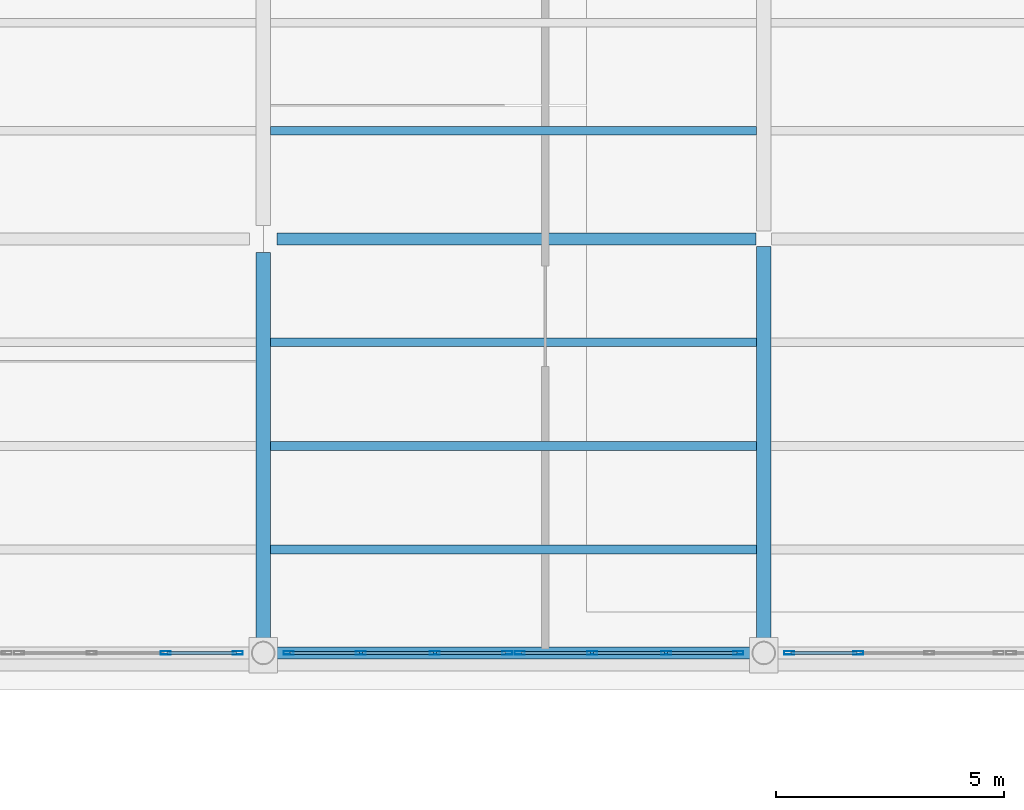
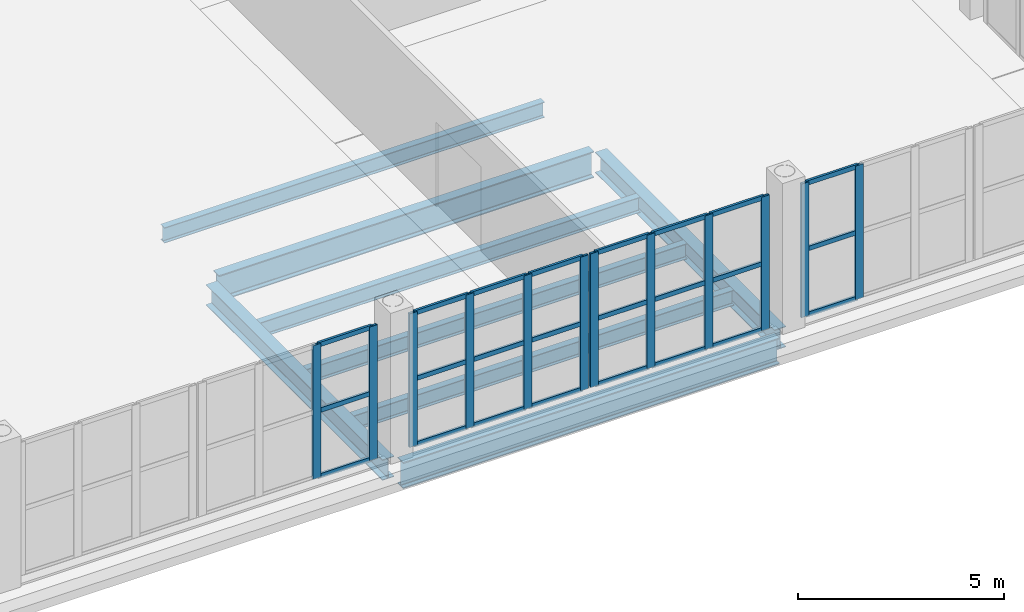
# One storey, part 30 of 156: 36 members, 8 beams, 4 elements without a shape of their own.
"""IFC4 building model written with IfcOpenShell, lengths in metres."""

from ifc_helpers import new_model, si_unit, direction, frame, origin, origin_2d, place, context, subcontext, project, spatial, hollow_rectangle, i_section, extrude, material, material_profile, profile_set, type_object, element, aggregate, save


model = new_model("IFC4")

# Units and contexts
model_context = context("Model", 3, precision=1e-05, world=origin(), true_north=direction((0.0, 1.0)))
body_context = subcontext(model_context, "Body", "Model", "MODEL_VIEW")
ifc_project = project(units=[si_unit("LENGTHUNIT", "METRE"), si_unit("AREAUNIT", "SQUARE_METRE"), si_unit("VOLUMEUNIT", "CUBIC_METRE"), si_unit("PLANEANGLEUNIT", "RADIAN"), si_unit("MASSUNIT", "GRAM", prefix="KILO")], contexts=[model_context])

# Site, building, storey
site_placement = place(None, origin())
site = spatial("IfcSite", under=ifc_project, at=site_placement, CompositionType="ELEMENT")
building_placement = place(site_placement, origin())
building = spatial("IfcBuilding", under=site, at=building_placement, Name="Caurita Quay Ferry Terminal", CompositionType="ELEMENT")
storey_placement = place(building_placement, frame((0.0, 0.0, 5.39990234375)))
storey = spatial("IfcBuildingStorey", under=building, at=storey_placement, Name="L01", CompositionType="ELEMENT", Elevation=5.39990234375)

# Beams
ifc_material_1 = material(Name="Structural steel ASTM A992 Gr. 50", Category="steel")
ifc_material_profile_1 = material_profile(ifc_material_1, i_section(OverallWidth=0.3251953125, OverallDepth=0.612060546875, WebThickness=0.0126953125, FlangeThickness=0.01904296875, FilletRadius=0.01513671875, at=origin_2d()), Name="W24X104")
ifc_profile_set_1 = profile_set([ifc_material_profile_1], Name="Structural steel ASTM A992 Gr. 50")
beam_type_1 = type_object("IfcBeamType", Name="BM-GR-W24A", PredefinedType="BEAM", material=ifc_profile_set_1)
beam_1_placement = place(storey_placement, frame((66.0, 34.81591796875, -0.60595703125), z_axis=(0.0, 1.0, 0.0), x_axis=(-1.0, 0.0, 0.0)))
element("IfcBeam", 1, at=beam_1_placement, inside=storey, type_object=beam_type_1, Name="L01 Beam BM-V1-L01-Y-660-348", PredefinedType="BEAM", context=body_context, shape_type="SweptSolid", body=[
    extrude(i_section(OverallWidth=0.3251953125, OverallDepth=0.612060546875, WebThickness=0.0126953125, FlangeThickness=0.01904296875, FilletRadius=0.01513671875, at=origin_2d()), origin(), (0.0, 0.0, 1.0), 8.586669921875),
])
beam_2_placement = place(storey_placement, frame((77.0, 34.81591796875, -0.60595703125), z_axis=(0.0, 1.0, 0.0), x_axis=(-1.0, 0.0, 0.0)))
element("IfcBeam", 2, at=beam_2_placement, inside=storey, type_object=beam_type_1, Name="L01 Beam BM-V1-L01-Y-770-348", PredefinedType="BEAM", context=body_context, shape_type="SweptSolid", body=[
    extrude(i_section(OverallWidth=0.3251953125, OverallDepth=0.612060546875, WebThickness=0.0126953125, FlangeThickness=0.01904296875, FilletRadius=0.01513671875, at=origin_2d()), origin(), (0.0, 0.0, 1.0), 8.714599609375),
])
ifc_material_profile_2 = material_profile(ifc_material_1, i_section(OverallWidth=0.2666015625, OverallDepth=0.77978515625, WebThickness=0.0166015625, FlangeThickness=0.030029296875, FilletRadius=0.01904296875, at=origin_2d()), Name="W30X148")
ifc_profile_set_2 = profile_set([ifc_material_profile_2], Name="Structural steel ASTM A992 Gr. 50")
beam_type_2 = type_object("IfcBeamType", Name="BM-GR-W30A", PredefinedType="BEAM", material=ifc_profile_set_2)
beam_3_placement = place(storey_placement, frame((66.2158203125, 34.60009765625, -0.689697265625), z_axis=(1.0, 0.0, 0.0), x_axis=(0.0, 1.0, 0.0)))
element("IfcBeam", 3, at=beam_3_placement, inside=storey, type_object=beam_type_2, Name="L01 Beam BM-V1-L01-X-662-346", PredefinedType="BEAM", context=body_context, shape_type="SweptSolid", body=[
    extrude(i_section(OverallWidth=0.2666015625, OverallDepth=0.77978515625, WebThickness=0.0166015625, FlangeThickness=0.030029296875, FilletRadius=0.01904296875, at=origin_2d()), origin(), (0.0, 0.0, 1.0), 10.568359375),
])
beam_4_placement = place(storey_placement, frame((66.297607421875, 43.699951171875, -0.689697265625), z_axis=(1.0, 0.0, 0.0), x_axis=(0.0, 1.0, 0.0)))
element("IfcBeam", 4, at=beam_4_placement, inside=storey, type_object=beam_type_2, Name="L01 Beam BM-V1-L01-X-663-437", PredefinedType="BEAM", context=body_context, shape_type="SweptSolid", body=[
    extrude(i_section(OverallWidth=0.2666015625, OverallDepth=0.77978515625, WebThickness=0.0166015625, FlangeThickness=0.030029296875, FilletRadius=0.01904296875, at=origin_2d()), origin(), (0.0, 0.0, 1.0), 10.531982421875),
])
ifc_material_profile_3 = material_profile(ifc_material_1, i_section(OverallWidth=0.1904296875, OverallDepth=0.457275390625, WebThickness=0.009033203125, FlangeThickness=0.014404296875, FilletRadius=0.0126953125, at=origin_2d()), Name="W18X50")
ifc_profile_set_3 = profile_set([ifc_material_profile_3], Name="Structural steel ASTM A992 Gr. 50")
beam_type_3 = type_object("IfcBeamType", Name="BM-JS-W18B", PredefinedType="JOIST", material=ifc_profile_set_3)
for number, where, z_axis, x_axis, name in (
    (5, (66.16259765625, 36.875, -0.528564453125), (1.0, 0.0, 0.0), (0.0, 1.0, 0.0), "L01 Beam JS-V1-L01-061"),
    (6, (66.16259765625, 39.14990234375, -0.528564453125), (1.0, 0.0, 0.0), (0.0, 1.0, 0.0), "L01 Beam JS-V1-L01-062"),
    (7, (66.16259765625, 41.425048828125, -0.528564453125), (1.0, 0.0, 0.0), (0.0, 1.0, 0.0), "L01 Beam JS-V1-L01-063"),
    (8, (66.16259765625, 46.074951171875, -0.528564453125), (1.0, 0.0, 0.0), (0.0, 1.0, 0.0), "L01 Beam JS-V1-L01-064"),
):
    element("IfcBeam", number, at=place(storey_placement, frame(where, z_axis=z_axis, x_axis=x_axis)), inside=storey, type_object=beam_type_3, Name=name, PredefinedType="JOIST", context=body_context, shape_type="SweptSolid", body=[
        extrude(i_section(OverallWidth=0.1904296875, OverallDepth=0.457275390625, WebThickness=0.009033203125, FlangeThickness=0.014404296875, FilletRadius=0.0126953125, at=origin_2d()), origin(), (0.0, 0.0, 1.0), 10.6748046875),
    ])

# Curtain wall, members
ifc_material_2 = material(Name="Laminated solar-control insulated glass", Category="glass")
curtain_wall_type_1 = type_object("IfcCurtainWallType", Name="CW-SYS-08", PredefinedType="NOTDEFINED", material=ifc_material_2)
curtain_wall_1_placement = place(storey_placement, origin())
curtain_wall_1 = element("IfcCurtainWall", 9, at=curtain_wall_1_placement, inside=storey, type_object=curtain_wall_type_1, Name="V1 Waterside Concourse Curtain Wall 060", PredefinedType="NOTDEFINED")
ifc_material_3 = material(Name="Anodized aluminium 6063-T6", Category="aluminium")
ifc_material_profile_4 = material_profile(ifc_material_3, hollow_rectangle(XDim=0.074951171875, YDim=0.219970703125, WallThickness=0.00390625, at=origin_2d()), Name="ALU-MUL-75X220")
ifc_profile_set_4 = profile_set([ifc_material_profile_4], Name="Anodized aluminium 6063-T6")
member_type_1 = type_object("IfcMemberType", Name="CW-MUL-220", PredefinedType="MULLION", material=ifc_profile_set_4)
member_1_placement = place(storey_placement, frame((63.853271484375, 34.60009765625, 0.0), z_axis=(0.0, 0.0, 1.0), x_axis=(0.0, 1.0, 0.0)))
member_1 = element("IfcMember", 10, at=member_1_placement, type_object=member_type_1, Name="CW-SEA-060 Mullion 3", PredefinedType="MULLION", context=body_context, shape_type="SweptSolid", body=[
    extrude(hollow_rectangle(XDim=0.074951171875, YDim=0.219970703125, WallThickness=0.00390625, at=origin_2d()), origin(), (0.0, 0.0, 1.0), 3.97021484375),
])
member_2_placement = place(storey_placement, frame((65.4423828125, 34.60009765625, 0.0), z_axis=(0.0, 0.0, 1.0), x_axis=(0.0, 1.0, 0.0)))
member_2 = element("IfcMember", 11, at=member_2_placement, type_object=member_type_1, Name="CW-SEA-060 Mullion 4", PredefinedType="MULLION", context=body_context, shape_type="SweptSolid", body=[
    extrude(hollow_rectangle(XDim=0.074951171875, YDim=0.219970703125, WallThickness=0.00390625, at=origin_2d()), origin(), (0.0, 0.0, 1.0), 3.97021484375),
])

curtain_wall_2_placement = place(storey_placement, origin())
curtain_wall_2 = element("IfcCurtainWall", 12, at=curtain_wall_2_placement, inside=storey, type_object=curtain_wall_type_1, Name="V1 Waterside Concourse Curtain Wall 061", PredefinedType="NOTDEFINED")
member_3_placement = place(storey_placement, frame((66.5576171875, 34.60009765625, 0.0), z_axis=(0.0, 0.0, 1.0), x_axis=(0.0, 1.0, 0.0)))
member_3 = element("IfcMember", 13, at=member_3_placement, type_object=member_type_1, Name="CW-SEA-061 Mullion 1", PredefinedType="MULLION", context=body_context, shape_type="SweptSolid", body=[
    extrude(hollow_rectangle(XDim=0.074951171875, YDim=0.219970703125, WallThickness=0.00390625, at=origin_2d()), origin(), (0.0, 0.0, 1.0), 3.97021484375),
])
member_4_placement = place(storey_placement, frame((68.146728515625, 34.60009765625, 0.0), z_axis=(0.0, 0.0, 1.0), x_axis=(0.0, 1.0, 0.0)))
member_4 = element("IfcMember", 14, at=member_4_placement, type_object=member_type_1, Name="CW-SEA-061 Mullion 2", PredefinedType="MULLION", context=body_context, shape_type="SweptSolid", body=[
    extrude(hollow_rectangle(XDim=0.074951171875, YDim=0.219970703125, WallThickness=0.00390625, at=origin_2d()), origin(), (0.0, 0.0, 1.0), 3.97021484375),
])
member_5_placement = place(storey_placement, frame((69.773193359375, 34.60009765625, 0.0), z_axis=(0.0, 0.0, 1.0), x_axis=(0.0, 1.0, 0.0)))
member_5 = element("IfcMember", 15, at=member_5_placement, type_object=member_type_1, Name="CW-SEA-061 Mullion 3", PredefinedType="MULLION", context=body_context, shape_type="SweptSolid", body=[
    extrude(hollow_rectangle(XDim=0.074951171875, YDim=0.219970703125, WallThickness=0.00390625, at=origin_2d()), origin(), (0.0, 0.0, 1.0), 3.97021484375),
])
member_6_placement = place(storey_placement, frame((71.362548828125, 34.60009765625, 0.0), z_axis=(0.0, 0.0, 1.0), x_axis=(0.0, 1.0, 0.0)))
member_6 = element("IfcMember", 16, at=member_6_placement, type_object=member_type_1, Name="CW-SEA-061 Mullion 4", PredefinedType="MULLION", context=body_context, shape_type="SweptSolid", body=[
    extrude(hollow_rectangle(XDim=0.074951171875, YDim=0.219970703125, WallThickness=0.00390625, at=origin_2d()), origin(), (0.0, 0.0, 1.0), 3.97021484375),
])

curtain_wall_3_placement = place(storey_placement, origin())
curtain_wall_3 = element("IfcCurtainWall", 17, at=curtain_wall_3_placement, inside=storey, type_object=curtain_wall_type_1, Name="V1 Waterside Concourse Curtain Wall 062", PredefinedType="NOTDEFINED")
member_7_placement = place(storey_placement, frame((71.637451171875, 34.60009765625, 0.0), z_axis=(0.0, 0.0, 1.0), x_axis=(0.0, 1.0, 0.0)))
member_7 = element("IfcMember", 18, at=member_7_placement, type_object=member_type_1, Name="CW-SEA-062 Mullion 1", PredefinedType="MULLION", context=body_context, shape_type="SweptSolid", body=[
    extrude(hollow_rectangle(XDim=0.074951171875, YDim=0.219970703125, WallThickness=0.00390625, at=origin_2d()), origin(), (0.0, 0.0, 1.0), 3.97021484375),
])
member_8_placement = place(storey_placement, frame((73.226806640625, 34.60009765625, 0.0), z_axis=(0.0, 0.0, 1.0), x_axis=(0.0, 1.0, 0.0)))
member_8 = element("IfcMember", 19, at=member_8_placement, type_object=member_type_1, Name="CW-SEA-062 Mullion 2", PredefinedType="MULLION", context=body_context, shape_type="SweptSolid", body=[
    extrude(hollow_rectangle(XDim=0.074951171875, YDim=0.219970703125, WallThickness=0.00390625, at=origin_2d()), origin(), (0.0, 0.0, 1.0), 3.97021484375),
])
member_9_placement = place(storey_placement, frame((74.853271484375, 34.60009765625, 0.0), z_axis=(0.0, 0.0, 1.0), x_axis=(0.0, 1.0, 0.0)))
member_9 = element("IfcMember", 20, at=member_9_placement, type_object=member_type_1, Name="CW-SEA-062 Mullion 3", PredefinedType="MULLION", context=body_context, shape_type="SweptSolid", body=[
    extrude(hollow_rectangle(XDim=0.074951171875, YDim=0.219970703125, WallThickness=0.00390625, at=origin_2d()), origin(), (0.0, 0.0, 1.0), 3.97021484375),
])
member_10_placement = place(storey_placement, frame((76.4423828125, 34.60009765625, 0.0), z_axis=(0.0, 0.0, 1.0), x_axis=(0.0, 1.0, 0.0)))
member_10 = element("IfcMember", 21, at=member_10_placement, type_object=member_type_1, Name="CW-SEA-062 Mullion 4", PredefinedType="MULLION", context=body_context, shape_type="SweptSolid", body=[
    extrude(hollow_rectangle(XDim=0.074951171875, YDim=0.219970703125, WallThickness=0.00390625, at=origin_2d()), origin(), (0.0, 0.0, 1.0), 3.97021484375),
])

curtain_wall_type_2 = type_object("IfcCurtainWallType", Name="CW-SYS-09", PredefinedType="NOTDEFINED", material=ifc_material_2)
curtain_wall_4_placement = place(storey_placement, origin())
curtain_wall_4 = element("IfcCurtainWall", 22, at=curtain_wall_4_placement, inside=storey, type_object=curtain_wall_type_2, Name="V1 Waterside Concourse Curtain Wall 063", PredefinedType="NOTDEFINED")
member_11_placement = place(storey_placement, frame((77.5576171875, 34.60009765625, 0.0), z_axis=(0.0, 0.0, 1.0), x_axis=(0.0, 1.0, 0.0)))
member_11 = element("IfcMember", 23, at=member_11_placement, type_object=member_type_1, Name="CW-SEA-063 Mullion 1", PredefinedType="MULLION", context=body_context, shape_type="SweptSolid", body=[
    extrude(hollow_rectangle(XDim=0.074951171875, YDim=0.219970703125, WallThickness=0.00390625, at=origin_2d()), origin(), (0.0, 0.0, 1.0), 3.97021484375),
])
member_12_placement = place(storey_placement, frame((79.080078125, 34.60009765625, 0.0), z_axis=(0.0, 0.0, 1.0), x_axis=(0.0, 1.0, 0.0)))
member_12 = element("IfcMember", 24, at=member_12_placement, type_object=member_type_1, Name="CW-SEA-063 Mullion 2", PredefinedType="MULLION", context=body_context, shape_type="SweptSolid", body=[
    extrude(hollow_rectangle(XDim=0.074951171875, YDim=0.219970703125, WallThickness=0.00390625, at=origin_2d()), origin(), (0.0, 0.0, 1.0), 3.97021484375),
])

# Member
ifc_material_profile_5 = material_profile(ifc_material_3, hollow_rectangle(XDim=0.06494140625, YDim=0.135009765625, WallThickness=0.00341796875, at=origin_2d()), Name="ALU-TRN-65X135")
ifc_profile_set_5 = profile_set([ifc_material_profile_5], Name="Anodized aluminium 6063-T6")
member_type_2 = type_object("IfcMemberType", Name="CW-TRN-135", PredefinedType="USERDEFINED", material=ifc_profile_set_5)
member_13_placement = place(storey_placement, frame((63.888916015625, 34.60009765625, 0.03271484375), z_axis=(1.0, 0.0, 0.0), x_axis=(0.0, 1.0, 0.0)))
member_13 = element("IfcMember", 25, at=member_13_placement, type_object=member_type_2, Name="CW-SEA-060 Transom 7", ObjectType="TRANSOM", PredefinedType="USERDEFINED", context=body_context, shape_type="SweptSolid", body=[
    extrude(hollow_rectangle(XDim=0.06494140625, YDim=0.135009765625, WallThickness=0.00341796875, at=origin_2d()), origin(), (0.0, 0.0, 1.0), 1.51806640625),
])

member_14_placement = place(storey_placement, frame((63.888916015625, 34.60009765625, 1.985107421875), z_axis=(1.0, 0.0, 0.0), x_axis=(0.0, 1.0, 0.0)))
member_14 = element("IfcMember", 26, at=member_14_placement, type_object=member_type_2, Name="CW-SEA-060 Transom 8", ObjectType="TRANSOM", PredefinedType="USERDEFINED", context=body_context, shape_type="SweptSolid", body=[
    extrude(hollow_rectangle(XDim=0.06494140625, YDim=0.135009765625, WallThickness=0.00341796875, at=origin_2d()), origin(), (0.0, 0.0, 1.0), 1.51806640625),
])

member_15_placement = place(storey_placement, frame((63.888916015625, 34.60009765625, 3.9375), z_axis=(1.0, 0.0, 0.0), x_axis=(0.0, 1.0, 0.0)))
member_15 = element("IfcMember", 27, at=member_15_placement, type_object=member_type_2, Name="CW-SEA-060 Transom 9", ObjectType="TRANSOM", PredefinedType="USERDEFINED", context=body_context, shape_type="SweptSolid", body=[
    extrude(hollow_rectangle(XDim=0.06494140625, YDim=0.135009765625, WallThickness=0.00341796875, at=origin_2d()), origin(), (0.0, 0.0, 1.0), 1.51806640625),
])

aggregate(curtain_wall_1, [member_1, member_2, member_13, member_14, member_15])

member_16_placement = place(storey_placement, frame((66.593017578125, 34.60009765625, 0.03271484375), z_axis=(1.0, 0.0, 0.0), x_axis=(0.0, 1.0, 0.0)))
member_16 = element("IfcMember", 28, at=member_16_placement, type_object=member_type_2, Name="CW-SEA-061 Transom 1", ObjectType="TRANSOM", PredefinedType="USERDEFINED", context=body_context, shape_type="SweptSolid", body=[
    extrude(hollow_rectangle(XDim=0.06494140625, YDim=0.135009765625, WallThickness=0.00341796875, at=origin_2d()), origin(), (0.0, 0.0, 1.0), 1.51806640625),
])

member_17_placement = place(storey_placement, frame((66.593017578125, 34.60009765625, 1.985107421875), z_axis=(1.0, 0.0, 0.0), x_axis=(0.0, 1.0, 0.0)))
member_17 = element("IfcMember", 29, at=member_17_placement, type_object=member_type_2, Name="CW-SEA-061 Transom 2", ObjectType="TRANSOM", PredefinedType="USERDEFINED", context=body_context, shape_type="SweptSolid", body=[
    extrude(hollow_rectangle(XDim=0.06494140625, YDim=0.135009765625, WallThickness=0.00341796875, at=origin_2d()), origin(), (0.0, 0.0, 1.0), 1.51806640625),
])

member_18_placement = place(storey_placement, frame((66.593017578125, 34.60009765625, 3.9375), z_axis=(1.0, 0.0, 0.0), x_axis=(0.0, 1.0, 0.0)))
member_18 = element("IfcMember", 30, at=member_18_placement, type_object=member_type_2, Name="CW-SEA-061 Transom 3", ObjectType="TRANSOM", PredefinedType="USERDEFINED", context=body_context, shape_type="SweptSolid", body=[
    extrude(hollow_rectangle(XDim=0.06494140625, YDim=0.135009765625, WallThickness=0.00341796875, at=origin_2d()), origin(), (0.0, 0.0, 1.0), 1.51806640625),
])

member_19_placement = place(storey_placement, frame((68.18212890625, 34.60009765625, 0.03271484375), z_axis=(1.0, 0.0, 0.0), x_axis=(0.0, 1.0, 0.0)))
member_19 = element("IfcMember", 31, at=member_19_placement, type_object=member_type_2, Name="CW-SEA-061 Transom 4", ObjectType="TRANSOM", PredefinedType="USERDEFINED", context=body_context, shape_type="SweptSolid", body=[
    extrude(hollow_rectangle(XDim=0.06494140625, YDim=0.135009765625, WallThickness=0.00341796875, at=origin_2d()), origin(), (0.0, 0.0, 1.0), 1.5556640625),
])

member_20_placement = place(storey_placement, frame((68.18212890625, 34.60009765625, 1.985107421875), z_axis=(1.0, 0.0, 0.0), x_axis=(0.0, 1.0, 0.0)))
member_20 = element("IfcMember", 32, at=member_20_placement, type_object=member_type_2, Name="CW-SEA-061 Transom 5", ObjectType="TRANSOM", PredefinedType="USERDEFINED", context=body_context, shape_type="SweptSolid", body=[
    extrude(hollow_rectangle(XDim=0.06494140625, YDim=0.135009765625, WallThickness=0.00341796875, at=origin_2d()), origin(), (0.0, 0.0, 1.0), 1.5556640625),
])

member_21_placement = place(storey_placement, frame((68.18212890625, 34.60009765625, 3.9375), z_axis=(1.0, 0.0, 0.0), x_axis=(0.0, 1.0, 0.0)))
member_21 = element("IfcMember", 33, at=member_21_placement, type_object=member_type_2, Name="CW-SEA-061 Transom 6", ObjectType="TRANSOM", PredefinedType="USERDEFINED", context=body_context, shape_type="SweptSolid", body=[
    extrude(hollow_rectangle(XDim=0.06494140625, YDim=0.135009765625, WallThickness=0.00341796875, at=origin_2d()), origin(), (0.0, 0.0, 1.0), 1.5556640625),
])

member_22_placement = place(storey_placement, frame((69.808837890625, 34.60009765625, 0.03271484375), z_axis=(1.0, 0.0, 0.0), x_axis=(0.0, 1.0, 0.0)))
member_22 = element("IfcMember", 34, at=member_22_placement, type_object=member_type_2, Name="CW-SEA-061 Transom 7", ObjectType="TRANSOM", PredefinedType="USERDEFINED", context=body_context, shape_type="SweptSolid", body=[
    extrude(hollow_rectangle(XDim=0.06494140625, YDim=0.135009765625, WallThickness=0.00341796875, at=origin_2d()), origin(), (0.0, 0.0, 1.0), 1.51806640625),
])

member_23_placement = place(storey_placement, frame((69.808837890625, 34.60009765625, 1.985107421875), z_axis=(1.0, 0.0, 0.0), x_axis=(0.0, 1.0, 0.0)))
member_23 = element("IfcMember", 35, at=member_23_placement, type_object=member_type_2, Name="CW-SEA-061 Transom 8", ObjectType="TRANSOM", PredefinedType="USERDEFINED", context=body_context, shape_type="SweptSolid", body=[
    extrude(hollow_rectangle(XDim=0.06494140625, YDim=0.135009765625, WallThickness=0.00341796875, at=origin_2d()), origin(), (0.0, 0.0, 1.0), 1.51806640625),
])

member_24_placement = place(storey_placement, frame((69.808837890625, 34.60009765625, 3.9375), z_axis=(1.0, 0.0, 0.0), x_axis=(0.0, 1.0, 0.0)))
member_24 = element("IfcMember", 36, at=member_24_placement, type_object=member_type_2, Name="CW-SEA-061 Transom 9", ObjectType="TRANSOM", PredefinedType="USERDEFINED", context=body_context, shape_type="SweptSolid", body=[
    extrude(hollow_rectangle(XDim=0.06494140625, YDim=0.135009765625, WallThickness=0.00341796875, at=origin_2d()), origin(), (0.0, 0.0, 1.0), 1.51806640625),
])

aggregate(curtain_wall_2, [member_3, member_4, member_5, member_6, member_16, member_17, member_18, member_19, member_20, member_21, member_22, member_23, member_24])

member_25_placement = place(storey_placement, frame((71.673095703125, 34.60009765625, 0.03271484375), z_axis=(1.0, 0.0, 0.0), x_axis=(0.0, 1.0, 0.0)))
member_25 = element("IfcMember", 37, at=member_25_placement, type_object=member_type_2, Name="CW-SEA-062 Transom 1", ObjectType="TRANSOM", PredefinedType="USERDEFINED", context=body_context, shape_type="SweptSolid", body=[
    extrude(hollow_rectangle(XDim=0.06494140625, YDim=0.135009765625, WallThickness=0.00341796875, at=origin_2d()), origin(), (0.0, 0.0, 1.0), 1.51806640625),
])

member_26_placement = place(storey_placement, frame((71.673095703125, 34.60009765625, 1.985107421875), z_axis=(1.0, 0.0, 0.0), x_axis=(0.0, 1.0, 0.0)))
member_26 = element("IfcMember", 38, at=member_26_placement, type_object=member_type_2, Name="CW-SEA-062 Transom 2", ObjectType="TRANSOM", PredefinedType="USERDEFINED", context=body_context, shape_type="SweptSolid", body=[
    extrude(hollow_rectangle(XDim=0.06494140625, YDim=0.135009765625, WallThickness=0.00341796875, at=origin_2d()), origin(), (0.0, 0.0, 1.0), 1.51806640625),
])

member_27_placement = place(storey_placement, frame((71.673095703125, 34.60009765625, 3.9375), z_axis=(1.0, 0.0, 0.0), x_axis=(0.0, 1.0, 0.0)))
member_27 = element("IfcMember", 39, at=member_27_placement, type_object=member_type_2, Name="CW-SEA-062 Transom 3", ObjectType="TRANSOM", PredefinedType="USERDEFINED", context=body_context, shape_type="SweptSolid", body=[
    extrude(hollow_rectangle(XDim=0.06494140625, YDim=0.135009765625, WallThickness=0.00341796875, at=origin_2d()), origin(), (0.0, 0.0, 1.0), 1.51806640625),
])

member_28_placement = place(storey_placement, frame((73.26220703125, 34.60009765625, 0.03271484375), z_axis=(1.0, 0.0, 0.0), x_axis=(0.0, 1.0, 0.0)))
member_28 = element("IfcMember", 40, at=member_28_placement, type_object=member_type_2, Name="CW-SEA-062 Transom 4", ObjectType="TRANSOM", PredefinedType="USERDEFINED", context=body_context, shape_type="SweptSolid", body=[
    extrude(hollow_rectangle(XDim=0.06494140625, YDim=0.135009765625, WallThickness=0.00341796875, at=origin_2d()), origin(), (0.0, 0.0, 1.0), 1.5556640625),
])

member_29_placement = place(storey_placement, frame((73.26220703125, 34.60009765625, 1.985107421875), z_axis=(1.0, 0.0, 0.0), x_axis=(0.0, 1.0, 0.0)))
member_29 = element("IfcMember", 41, at=member_29_placement, type_object=member_type_2, Name="CW-SEA-062 Transom 5", ObjectType="TRANSOM", PredefinedType="USERDEFINED", context=body_context, shape_type="SweptSolid", body=[
    extrude(hollow_rectangle(XDim=0.06494140625, YDim=0.135009765625, WallThickness=0.00341796875, at=origin_2d()), origin(), (0.0, 0.0, 1.0), 1.5556640625),
])

member_30_placement = place(storey_placement, frame((73.26220703125, 34.60009765625, 3.9375), z_axis=(1.0, 0.0, 0.0), x_axis=(0.0, 1.0, 0.0)))
member_30 = element("IfcMember", 42, at=member_30_placement, type_object=member_type_2, Name="CW-SEA-062 Transom 6", ObjectType="TRANSOM", PredefinedType="USERDEFINED", context=body_context, shape_type="SweptSolid", body=[
    extrude(hollow_rectangle(XDim=0.06494140625, YDim=0.135009765625, WallThickness=0.00341796875, at=origin_2d()), origin(), (0.0, 0.0, 1.0), 1.5556640625),
])

member_31_placement = place(storey_placement, frame((74.888916015625, 34.60009765625, 0.03271484375), z_axis=(1.0, 0.0, 0.0), x_axis=(0.0, 1.0, 0.0)))
member_31 = element("IfcMember", 43, at=member_31_placement, type_object=member_type_2, Name="CW-SEA-062 Transom 7", ObjectType="TRANSOM", PredefinedType="USERDEFINED", context=body_context, shape_type="SweptSolid", body=[
    extrude(hollow_rectangle(XDim=0.06494140625, YDim=0.135009765625, WallThickness=0.00341796875, at=origin_2d()), origin(), (0.0, 0.0, 1.0), 1.51806640625),
])

member_32_placement = place(storey_placement, frame((74.888916015625, 34.60009765625, 1.985107421875), z_axis=(1.0, 0.0, 0.0), x_axis=(0.0, 1.0, 0.0)))
member_32 = element("IfcMember", 44, at=member_32_placement, type_object=member_type_2, Name="CW-SEA-062 Transom 8", ObjectType="TRANSOM", PredefinedType="USERDEFINED", context=body_context, shape_type="SweptSolid", body=[
    extrude(hollow_rectangle(XDim=0.06494140625, YDim=0.135009765625, WallThickness=0.00341796875, at=origin_2d()), origin(), (0.0, 0.0, 1.0), 1.51806640625),
])

member_33_placement = place(storey_placement, frame((74.888916015625, 34.60009765625, 3.9375), z_axis=(1.0, 0.0, 0.0), x_axis=(0.0, 1.0, 0.0)))
member_33 = element("IfcMember", 45, at=member_33_placement, type_object=member_type_2, Name="CW-SEA-062 Transom 9", ObjectType="TRANSOM", PredefinedType="USERDEFINED", context=body_context, shape_type="SweptSolid", body=[
    extrude(hollow_rectangle(XDim=0.06494140625, YDim=0.135009765625, WallThickness=0.00341796875, at=origin_2d()), origin(), (0.0, 0.0, 1.0), 1.51806640625),
])

aggregate(curtain_wall_3, [member_7, member_8, member_9, member_10, member_25, member_26, member_27, member_28, member_29, member_30, member_31, member_32, member_33])

member_34_placement = place(storey_placement, frame((77.593017578125, 34.60009765625, 0.03271484375), z_axis=(1.0, 0.0, 0.0), x_axis=(0.0, 1.0, 0.0)))
member_34 = element("IfcMember", 46, at=member_34_placement, type_object=member_type_2, Name="CW-SEA-063 Transom 1", ObjectType="TRANSOM", PredefinedType="USERDEFINED", context=body_context, shape_type="SweptSolid", body=[
    extrude(hollow_rectangle(XDim=0.06494140625, YDim=0.135009765625, WallThickness=0.00341796875, at=origin_2d()), origin(), (0.0, 0.0, 1.0), 1.451416015625),
])

member_35_placement = place(storey_placement, frame((77.593017578125, 34.60009765625, 1.985107421875), z_axis=(1.0, 0.0, 0.0), x_axis=(0.0, 1.0, 0.0)))
member_35 = element("IfcMember", 47, at=member_35_placement, type_object=member_type_2, Name="CW-SEA-063 Transom 2", ObjectType="TRANSOM", PredefinedType="USERDEFINED", context=body_context, shape_type="SweptSolid", body=[
    extrude(hollow_rectangle(XDim=0.06494140625, YDim=0.135009765625, WallThickness=0.00341796875, at=origin_2d()), origin(), (0.0, 0.0, 1.0), 1.451416015625),
])

member_36_placement = place(storey_placement, frame((77.593017578125, 34.60009765625, 3.9375), z_axis=(1.0, 0.0, 0.0), x_axis=(0.0, 1.0, 0.0)))
member_36 = element("IfcMember", 48, at=member_36_placement, type_object=member_type_2, Name="CW-SEA-063 Transom 3", ObjectType="TRANSOM", PredefinedType="USERDEFINED", context=body_context, shape_type="SweptSolid", body=[
    extrude(hollow_rectangle(XDim=0.06494140625, YDim=0.135009765625, WallThickness=0.00341796875, at=origin_2d()), origin(), (0.0, 0.0, 1.0), 1.451416015625),
])

aggregate(curtain_wall_4, [member_11, member_12, member_34, member_35, member_36])

save(model, "model.ifc")
